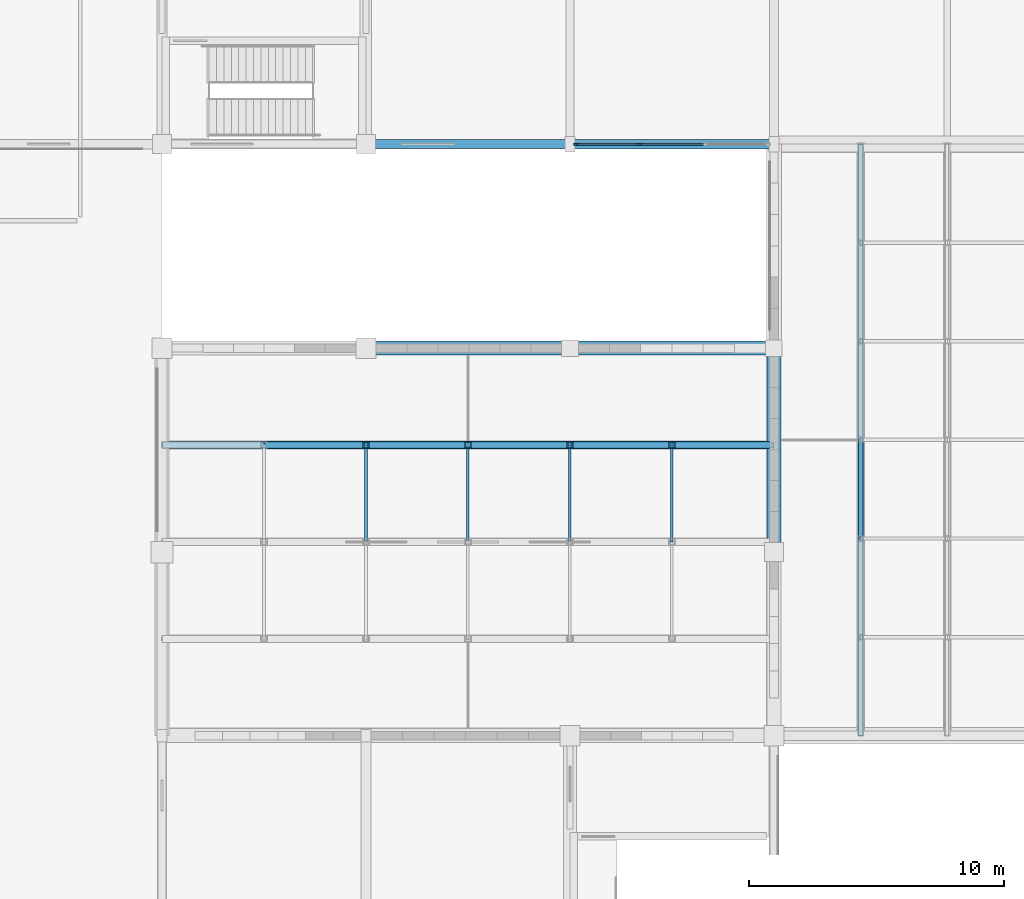
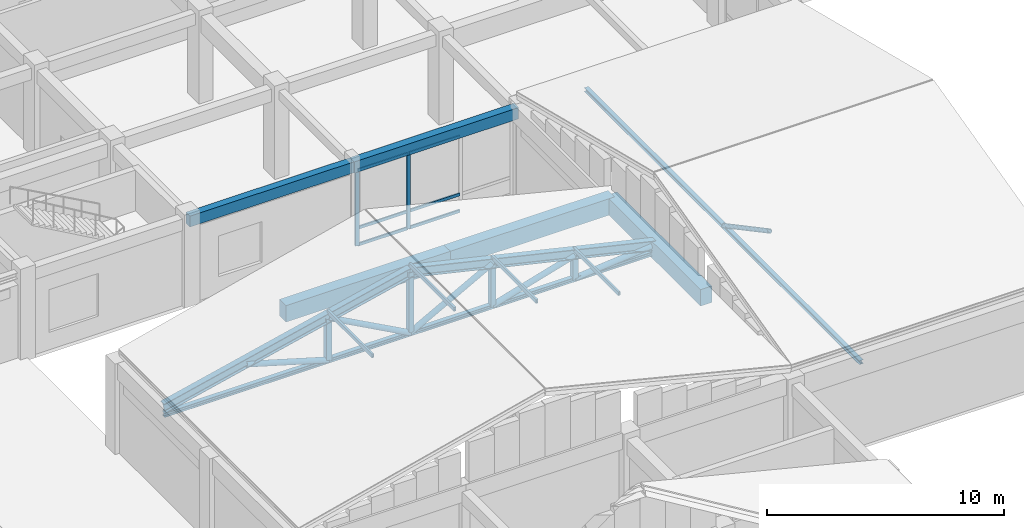
# One storey, part 29 of 61: 26 members, 5 beams, 1 element without a shape of its own.
"""IFC4 building model written with IfcOpenShell, lengths in metres."""

from ifc_helpers import new_model, si_unit, direction, frame, origin, origin_2d, place, context, subcontext, project, spatial, rectangle, hollow_rectangle, hollow_circle, i_section, extrude, material, material_profile, profile_set, type_object, element, aggregate, save


model = new_model("IFC4")

# Units and contexts
model_context = context("Model", 3, precision=1e-05, world=origin(), true_north=direction((0.0, 1.0)))
body_context = subcontext(model_context, "Body", "Model", "MODEL_VIEW")
ifc_project = project(units=[si_unit("LENGTHUNIT", "METRE"), si_unit("AREAUNIT", "SQUARE_METRE"), si_unit("VOLUMEUNIT", "CUBIC_METRE"), si_unit("PLANEANGLEUNIT", "RADIAN"), si_unit("MASSUNIT", "GRAM", prefix="KILO")], contexts=[model_context])

# Site, building, storey
site_placement = place(None, origin())
site = spatial("IfcSite", under=ifc_project, at=site_placement, CompositionType="ELEMENT")
building_placement = place(site_placement, origin())
building = spatial("IfcBuilding", under=site, at=building_placement, Name="Vellmiral Cinema and Media Centre", CompositionType="ELEMENT")
storey_placement = place(building_placement, frame((0.0, 0.0, 10.800048828125)))
storey = spatial("IfcBuildingStorey", under=building, at=storey_placement, Name="L02", CompositionType="ELEMENT", Elevation=10.800048828125)

# Curtain wall, members
ifc_material_1 = material(Name="Thermally Broken Aluminium and Triple Glazing", Category="aluminium")
curtain_wall_type = type_object("IfcCurtainWallType", Name="CW-POD-GALLERY", PredefinedType="USERDEFINED", material=ifc_material_1)
curtain_wall_placement = place(storey_placement, origin())
curtain_wall = element("IfcCurtainWall", 1, at=curtain_wall_placement, inside=storey, type_object=curtain_wall_type, Name="Curtain Wall L02-B023", ObjectType="STICK CURTAIN WALL", PredefinedType="USERDEFINED")
ifc_material_2 = material(Name="Thermally Broken Anodised Aluminium", Category="aluminium")
ifc_material_profile_1 = material_profile(ifc_material_2, rectangle(XDim=0.070068359375, YDim=0.179931640625, at=origin_2d()), Name="MULL 70x180")
ifc_profile_set_1 = profile_set([ifc_material_profile_1], Name="Thermally Broken Anodised Aluminium")
member_type_1 = type_object("IfcMemberType", Name="CWM-70x180", PredefinedType="MULLION", material=ifc_profile_set_1)
member_1_placement = place(storey_placement, frame((140.235107421875, 59.199951171875, 0.0), z_axis=(0.0, 0.0, 1.0), x_axis=(0.0, 1.0, 0.0)))
member_1 = element("IfcMember", 2, at=member_1_placement, type_object=member_type_1, Name="CW-04 mullion 1", PredefinedType="MULLION", context=body_context, shape_type="SweptSolid", body=[
    extrude(rectangle(XDim=0.070068359375, YDim=0.179931640625, at=origin_2d()), origin(), (0.0, 0.0, 1.0), 3.89990234375),
])
member_2_placement = place(storey_placement, frame((142.7333984375, 59.199951171875, 0.0), z_axis=(0.0, 0.0, 1.0), x_axis=(0.0, 1.0, 0.0)))
member_2 = element("IfcMember", 3, at=member_2_placement, type_object=member_type_1, Name="CW-04 mullion 2", PredefinedType="MULLION", context=body_context, shape_type="SweptSolid", body=[
    extrude(rectangle(XDim=0.070068359375, YDim=0.179931640625, at=origin_2d()), origin(), (0.0, 0.0, 1.0), 3.89990234375),
])
ifc_material_3 = material(Name="Thermally Broken Anodised Aluminium", Category="aluminium")
ifc_material_profile_2 = material_profile(ifc_material_3, rectangle(XDim=0.070068359375, YDim=0.14990234375, at=origin_2d()), Name="MULL 70x150")
ifc_profile_set_2 = profile_set([ifc_material_profile_2], Name="Thermally Broken Anodised Aluminium")
member_type_2 = type_object("IfcMemberType", Name="CWT-70x150", PredefinedType="USERDEFINED", material=ifc_profile_set_2)
member_3_placement = place(storey_placement, frame((140.27001953125, 59.199951171875, 0.034912109375), z_axis=(1.0, 0.0, 0.0), x_axis=(0.0, 1.0, 0.0)))
member_3 = element("IfcMember", 4, at=member_3_placement, type_object=member_type_2, Name="CW-04 transom 1.1", ObjectType="TRANSOM", PredefinedType="USERDEFINED", context=body_context, shape_type="SweptSolid", body=[
    extrude(rectangle(XDim=0.070068359375, YDim=0.14990234375, at=origin_2d()), origin(), (0.0, 0.0, 1.0), 2.42822265625),
])
member_4_placement = place(storey_placement, frame((140.27001953125, 59.199951171875, 0.89990234375), z_axis=(1.0, 0.0, 0.0), x_axis=(0.0, 1.0, 0.0)))
member_4 = element("IfcMember", 5, at=member_4_placement, type_object=member_type_2, Name="CW-04 transom 1.2", ObjectType="TRANSOM", PredefinedType="USERDEFINED", context=body_context, shape_type="SweptSolid", body=[
    extrude(rectangle(XDim=0.070068359375, YDim=0.14990234375, at=origin_2d()), origin(), (0.0, 0.0, 1.0), 2.42822265625),
])
member_5_placement = place(storey_placement, frame((140.27001953125, 59.199951171875, 3.864990234375), z_axis=(1.0, 0.0, 0.0), x_axis=(0.0, 1.0, 0.0)))
member_5 = element("IfcMember", 6, at=member_5_placement, type_object=member_type_2, Name="CW-04 transom 1.3", ObjectType="TRANSOM", PredefinedType="USERDEFINED", context=body_context, shape_type="SweptSolid", body=[
    extrude(rectangle(XDim=0.070068359375, YDim=0.14990234375, at=origin_2d()), origin(), (0.0, 0.0, 1.0), 2.42822265625),
])
member_6_placement = place(storey_placement, frame((142.768310546875, 59.199951171875, 0.034912109375), z_axis=(1.0, 0.0, 0.0), x_axis=(0.0, 1.0, 0.0)))
member_6 = element("IfcMember", 7, at=member_6_placement, type_object=member_type_2, Name="CW-04 transom 2.1", ObjectType="TRANSOM", PredefinedType="USERDEFINED", context=body_context, shape_type="SweptSolid", body=[
    extrude(rectangle(XDim=0.070068359375, YDim=0.14990234375, at=origin_2d()), origin(), (0.0, 0.0, 1.0), 2.46337890625),
])
member_7_placement = place(storey_placement, frame((142.768310546875, 59.199951171875, 0.89990234375), z_axis=(1.0, 0.0, 0.0), x_axis=(0.0, 1.0, 0.0)))
member_7 = element("IfcMember", 8, at=member_7_placement, type_object=member_type_2, Name="CW-04 transom 2.2", ObjectType="TRANSOM", PredefinedType="USERDEFINED", context=body_context, shape_type="SweptSolid", body=[
    extrude(rectangle(XDim=0.070068359375, YDim=0.14990234375, at=origin_2d()), origin(), (0.0, 0.0, 1.0), 2.46337890625),
])
member_8_placement = place(storey_placement, frame((142.768310546875, 59.199951171875, 3.864990234375), z_axis=(1.0, 0.0, 0.0), x_axis=(0.0, 1.0, 0.0)))
member_8 = element("IfcMember", 9, at=member_8_placement, type_object=member_type_2, Name="CW-04 transom 2.3", ObjectType="TRANSOM", PredefinedType="USERDEFINED", context=body_context, shape_type="SweptSolid", body=[
    extrude(rectangle(XDim=0.070068359375, YDim=0.14990234375, at=origin_2d()), origin(), (0.0, 0.0, 1.0), 2.46337890625),
])
aggregate(curtain_wall, [member_1, member_2, member_3, member_4, member_5, member_6, member_7, member_8])

# Members
ifc_material_4 = material(Name="Steel S355", Category="steel")
ifc_material_profile_3 = material_profile(ifc_material_4, hollow_rectangle(XDim=0.10009765625, YDim=0.199951171875, WallThickness=0.008056640625, at=origin_2d()), Name="RHS 200x100x8.0")
ifc_profile_set_3 = profile_set([ifc_material_profile_3], Name="Steel S355")
member_type_3 = type_object("IfcMemberType", Name="PRL-RHS200", PredefinedType="PURLIN", material=ifc_profile_set_3)
for number, where, z_axis, x_axis, name in (
    (10, (132.0, 43.60009765625, 6.65966796875), (0.0, 1.0, 0.0), (-1.0, 0.0, 0.0), "Roof Purlin 6.2.2"),
    (11, (136.0, 43.60009765625, 7.65673828125), (0.0, 1.0, 0.0), (-1.0, 0.0, 0.0), "Roof Purlin 6.3.2"),
    (12, (140.0, 43.60009765625, 6.65966796875), (0.0, 1.0, 0.0), (-1.0, 0.0, 0.0), "Roof Purlin 6.4.2"),
    (13, (144.0, 43.60009765625, 5.662353515625), (0.0, 1.0, 0.0), (-1.0, 0.0, 0.0), "Roof Purlin 6.5.2"),
):
    element("IfcMember", number, at=place(storey_placement, frame(where, z_axis=z_axis, x_axis=x_axis)), inside=storey, type_object=member_type_3, Name=name, PredefinedType="PURLIN", context=body_context, shape_type="SweptSolid", body=[
        extrude(hollow_rectangle(XDim=0.10009765625, YDim=0.199951171875, WallThickness=0.008056640625, at=origin_2d()), origin(), (0.0, 0.0, 1.0), 3.7998046875),
    ])

# Beams
ifc_material_5 = material(Name="Concrete C40/50", Category="concrete")
ifc_material_profile_4 = material_profile(ifc_material_5, rectangle(XDim=0.550048828125, YDim=0.85009765625, at=origin_2d()), Name="RC 550x850")
ifc_profile_set_4 = profile_set([ifc_material_profile_4], Name="Concrete C40/50")
beam_type_1 = type_object("IfcBeamType", Name="RING-BM-550x850", PredefinedType="BEAM", material=ifc_profile_set_4)
for number, where, z_axis, x_axis, name in (
    (14, (132.0, 51.199951171875, 4.375), (1.0, 0.0, 0.0), (0.0, 1.0, 0.0), "Cinema Screen 6 Ring Beam 05"),
    (15, (140.0, 51.199951171875, 4.375), (1.0, 0.0, 0.0), (0.0, 1.0, 0.0), "Cinema Screen 6 Ring Beam 06"),
    (16, (148.0, 43.199951171875, 4.375), (0.0, 1.0, 0.0), (-1.0, 0.0, 0.0), "Cinema Screen 6 Ring Beam 10"),
):
    element("IfcBeam", number, at=place(storey_placement, frame(where, z_axis=z_axis, x_axis=x_axis)), inside=storey, type_object=beam_type_1, Name=name, PredefinedType="BEAM", context=body_context, shape_type="SweptSolid", body=[
        extrude(rectangle(XDim=0.550048828125, YDim=0.85009765625, at=origin_2d()), origin(), (0.0, 0.0, 1.0), 8.0),
    ])
ifc_material_6 = material(Name="Concrete C40/50", Category="concrete")
ifc_material_profile_5 = material_profile(ifc_material_6, rectangle(XDim=0.35009765625, YDim=0.56005859375, at=origin_2d()), Name="RC 350x560")
ifc_profile_set_5 = profile_set([ifc_material_profile_5], Name="Concrete C40/50")
beam_type_2 = type_object("IfcBeamType", Name="SPD-RC-350x560", PredefinedType="SPANDREL", material=ifc_profile_set_5)
beam_1_placement = place(storey_placement, frame((132.0, 59.199951171875, 4.21484375), z_axis=(1.0, 0.0, 0.0), x_axis=(0.0, 1.0, 0.0)))
element("IfcBeam", 17, at=beam_1_placement, inside=storey, type_object=beam_type_2, Name="Grid Beam L02-X019", PredefinedType="SPANDREL", context=body_context, shape_type="SweptSolid", body=[
    extrude(rectangle(XDim=0.35009765625, YDim=0.56005859375, at=origin_2d()), origin(), (0.0, 0.0, 1.0), 8.0),
])
ifc_material_7 = material(Name="Vosges Red Sandstone Masonry", Category="masonry")
ifc_material_profile_6 = material_profile(ifc_material_7, rectangle(XDim=0.3798828125, YDim=0.580078125, at=origin_2d()), Name="SAND 380x580")
ifc_profile_set_6 = profile_set([ifc_material_profile_6], Name="Vosges Red Sandstone Masonry")
beam_type_3 = type_object("IfcBeamType", Name="SPD-SAND-380x580", PredefinedType="SPANDREL", material=ifc_profile_set_6)
beam_2_placement = place(storey_placement, frame((140.0, 59.199951171875, 4.204833984375), z_axis=(1.0, 0.0, 0.0), x_axis=(0.0, 1.0, 0.0)))
element("IfcBeam", 18, at=beam_2_placement, inside=storey, type_object=beam_type_3, Name="Grid Beam L02-X020", PredefinedType="SPANDREL", context=body_context, shape_type="SweptSolid", body=[
    extrude(rectangle(XDim=0.3798828125, YDim=0.580078125, at=origin_2d()), origin(), (0.0, 0.0, 1.0), 8.0),
])

# Members
ifc_material_8 = material(Name="Steel S355", Category="steel")
ifc_material_profile_7 = material_profile(ifc_material_8, hollow_circle(Radius=0.109619140625, WallThickness=0.010009765625, at=origin_2d()), Name="CHS 219.1x10.0")
ifc_profile_set_7 = profile_set([ifc_material_profile_7], Name="Steel S355")
member_type_4 = type_object("IfcMemberType", Name="TBR-CHS219", PredefinedType="BRACE", material=ifc_profile_set_7)
member_9_placement = place(storey_placement, frame((151.39990234375, 43.7333984375, 6.213134765625), z_axis=(0.0, 0.8822588608, -0.470764593549), x_axis=(-1.0, 0.0, 0.0)))
element("IfcMember", 19, at=member_9_placement, inside=storey, type_object=member_type_4, Name="Roof Truss TR-07.1 Diagonal 3", PredefinedType="BRACE", context=body_context, shape_type="SweptSolid", body=[
    extrude(hollow_circle(Radius=0.109619140625, WallThickness=0.010009765625, at=origin_2d()), origin(), (0.0, 0.0, 1.0), 4.3828125),
])
ifc_material_9 = material(Name="Steel S355", Category="steel")
ifc_material_profile_8 = material_profile(ifc_material_9, hollow_circle(Radius=0.136474609375, WallThickness=0.012451171875, at=origin_2d()), Name="CHS 273.0x12.5")
ifc_profile_set_8 = profile_set([ifc_material_profile_8], Name="Steel S355")
member_type_5 = type_object("IfcMemberType", Name="TBR-CHS273", PredefinedType="BRACE", material=ifc_profile_set_8)
member_10_placement = place(storey_placement, frame((128.0, 47.39990234375, 5.3271484375), z_axis=(0.959315139082, 0.0, -0.28233750004), x_axis=(0.0, 1.0, 0.0)))
element("IfcMember", 20, at=member_10_placement, inside=storey, type_object=member_type_5, Name="Roof Truss TR-06.3 Diagonal 2", PredefinedType="BRACE", context=body_context, shape_type="SweptSolid", body=[
    extrude(hollow_circle(Radius=0.136474609375, WallThickness=0.012451171875, at=origin_2d()), origin(), (0.0, 0.0, 1.0), 4.169677734375),
])
for number, where, z_axis, x_axis, name in (
    (21, (132.0, 47.39990234375, 6.324462890625), (0.878564834273, 0.0, -0.477623106621), (0.0, 1.0, 0.0), "Roof Truss TR-06.3 Diagonal 3"),
    (22, (136.0, 47.39990234375, 4.14990234375), (0.878564834273, 0.0, 0.477623106621), (0.0, 1.0, 0.0), "Roof Truss TR-06.3 Diagonal 4"),
):
    element("IfcMember", number, at=place(storey_placement, frame(where, z_axis=z_axis, x_axis=x_axis)), inside=storey, type_object=member_type_5, Name=name, PredefinedType="BRACE", context=body_context, shape_type="SweptSolid", body=[
        extrude(hollow_circle(Radius=0.136474609375, WallThickness=0.012451171875, at=origin_2d()), origin(), (0.0, 0.0, 1.0), 4.552978515625),
    ])
member_11_placement = place(storey_placement, frame((140.0, 47.39990234375, 4.14990234375), z_axis=(0.959315139082, 0.0, 0.28233750004), x_axis=(0.0, 1.0, 0.0)))
element("IfcMember", 23, at=member_11_placement, inside=storey, type_object=member_type_5, Name="Roof Truss TR-06.3 Diagonal 5", PredefinedType="BRACE", context=body_context, shape_type="SweptSolid", body=[
    extrude(hollow_circle(Radius=0.136474609375, WallThickness=0.012451171875, at=origin_2d()), origin(), (0.0, 0.0, 1.0), 4.169677734375),
])
member_12_placement = place(storey_placement, frame((144.0, 47.39990234375, 4.14990234375), z_axis=(0.995634226059, 0.0, 0.093340708693), x_axis=(0.0, 1.0, 0.0)))
element("IfcMember", 24, at=member_12_placement, inside=storey, type_object=member_type_5, Name="Roof Truss TR-06.3 Diagonal 6", PredefinedType="BRACE", context=body_context, shape_type="SweptSolid", body=[
    extrude(hollow_circle(Radius=0.136474609375, WallThickness=0.012451171875, at=origin_2d()), origin(), (0.0, 0.0, 1.0), 4.017578125),
])
ifc_material_10 = material(Name="Steel S355", Category="steel")
ifc_material_profile_9 = material_profile(ifc_material_10, hollow_rectangle(XDim=0.25, YDim=0.25, WallThickness=0.012451171875, at=origin_2d()), Name="SHS 250x250x12.5")
ifc_profile_set_9 = profile_set([ifc_material_profile_9], Name="Steel S355")
member_type_6 = type_object("IfcMemberType", Name="TBR-SHS250", PredefinedType="BRACE", material=ifc_profile_set_9)
member_13_placement = place(storey_placement, frame((132.0, 47.39990234375, 4.14990234375), z_axis=(0.0, 0.0, 1.0), x_axis=(1.0, 0.0, 0.0)))
element("IfcMember", 25, at=member_13_placement, inside=storey, type_object=member_type_6, Name="Roof Truss TR-06.3 Post 2", PredefinedType="BRACE", context=body_context, shape_type="SweptSolid", body=[
    extrude(hollow_rectangle(XDim=0.25, YDim=0.25, WallThickness=0.012451171875, at=origin_2d()), origin(), (0.0, 0.0, 1.0), 2.174560546875),
])
member_14_placement = place(storey_placement, frame((136.0, 47.39990234375, 4.14990234375), z_axis=(0.0, 0.0, 1.0), x_axis=(1.0, 0.0, 0.0)))
element("IfcMember", 26, at=member_14_placement, inside=storey, type_object=member_type_6, Name="Roof Truss TR-06.3 Post 3", PredefinedType="BRACE", context=body_context, shape_type="SweptSolid", body=[
    extrude(hollow_rectangle(XDim=0.25, YDim=0.25, WallThickness=0.012451171875, at=origin_2d()), origin(), (0.0, 0.0, 1.0), 3.171875),
])
member_15_placement = place(storey_placement, frame((140.0, 47.39990234375, 4.14990234375), z_axis=(0.0, 0.0, 1.0), x_axis=(1.0, 0.0, 0.0)))
element("IfcMember", 27, at=member_15_placement, inside=storey, type_object=member_type_6, Name="Roof Truss TR-06.3 Post 4", PredefinedType="BRACE", context=body_context, shape_type="SweptSolid", body=[
    extrude(hollow_rectangle(XDim=0.25, YDim=0.25, WallThickness=0.012451171875, at=origin_2d()), origin(), (0.0, 0.0, 1.0), 2.174560546875),
])
member_16_placement = place(storey_placement, frame((144.0, 47.39990234375, 4.14990234375), z_axis=(0.0, 0.0, 1.0), x_axis=(1.0, 0.0, 0.0)))
element("IfcMember", 28, at=member_16_placement, inside=storey, type_object=member_type_6, Name="Roof Truss TR-06.3 Post 5", PredefinedType="BRACE", context=body_context, shape_type="SweptSolid", body=[
    extrude(hollow_rectangle(XDim=0.25, YDim=0.25, WallThickness=0.012451171875, at=origin_2d()), origin(), (0.0, 0.0, 1.0), 1.17724609375),
])
ifc_material_11 = material(Name="Steel S355", Category="steel")
ifc_material_profile_10 = material_profile(ifc_material_11, i_section(OverallWidth=0.300048828125, OverallDepth=0.489990234375, WebThickness=0.011962890625, FlangeThickness=0.02294921875, FilletRadius=0.027099609375, at=origin_2d()), Name="HEA 500")
ifc_profile_set_10 = profile_set([ifc_material_profile_10], Name="Steel S355")
member_type_7 = type_object("IfcMemberType", Name="TCH-HEA500", PredefinedType="CHORD", material=ifc_profile_set_10)
for number, where, z_axis, x_axis, name in (
    (29, (124.0, 47.39990234375, 4.52490234375), (0.973897302282, 0.0, 0.226989084777), (0.0, 1.0, 0.0), "Roof Truss TR-06.3 Top Chord W"),
    (30, (136.0, 47.39990234375, 7.32177734375), (0.973897302282, 0.0, -0.226989084777), (0.0, 1.0, 0.0), "Roof Truss TR-06.3 Top Chord E"),
):
    element("IfcMember", number, at=place(storey_placement, frame(where, z_axis=z_axis, x_axis=x_axis)), inside=storey, type_object=member_type_7, Name=name, PredefinedType="CHORD", context=body_context, shape_type="SweptSolid", body=[
        extrude(i_section(OverallWidth=0.300048828125, OverallDepth=0.489990234375, WebThickness=0.011962890625, FlangeThickness=0.02294921875, FilletRadius=0.027099609375, at=origin_2d()), origin(), (0.0, 0.0, 1.0), 12.321533203125),
    ])
ifc_material_12 = material(Name="Steel S355", Category="steel")
ifc_material_profile_11 = material_profile(ifc_material_12, i_section(OverallWidth=0.199951171875, OverallDepth=0.199951171875, WebThickness=0.009033203125, FlangeThickness=0.014892578125, FilletRadius=0.01806640625, at=origin_2d()), Name="HEB 200")
ifc_profile_set_11 = profile_set([ifc_material_profile_11], Name="Steel S355")
member_type_8 = type_object("IfcMemberType", Name="TCH-HEB200", PredefinedType="CHORD", material=ifc_profile_set_11)
member_17_placement = place(storey_placement, frame((151.39990234375, 36.0, 4.14990234375), z_axis=(0.0, 1.0, 0.0), x_axis=(-1.0, 0.0, 0.0)))
element("IfcMember", 31, at=member_17_placement, inside=storey, type_object=member_type_8, Name="Roof Truss TR-07.1 Bottom Chord", PredefinedType="CHORD", context=body_context, shape_type="SweptSolid", body=[
    extrude(i_section(OverallWidth=0.199951171875, OverallDepth=0.199951171875, WebThickness=0.009033203125, FlangeThickness=0.014892578125, FilletRadius=0.01806640625, at=origin_2d()), origin(), (0.0, 0.0, 1.0), 23.199951171875),
])
ifc_material_13 = material(Name="Steel S355", Category="steel")
ifc_material_profile_12 = material_profile(ifc_material_13, i_section(OverallWidth=0.219970703125, OverallDepth=0.219970703125, WebThickness=0.009521484375, FlangeThickness=0.01611328125, FilletRadius=0.01806640625, at=origin_2d()), Name="HEB 220")
ifc_profile_set_12 = profile_set([ifc_material_profile_12], Name="Steel S355")
member_type_9 = type_object("IfcMemberType", Name="TCH-HEB220", PredefinedType="CHORD", material=ifc_profile_set_12)
member_18_placement = place(storey_placement, frame((124.0, 47.39990234375, 4.14990234375), z_axis=(1.0, 0.0, 0.0), x_axis=(0.0, 1.0, 0.0)))
element("IfcMember", 32, at=member_18_placement, inside=storey, type_object=member_type_9, Name="Roof Truss TR-06.3 Bottom Chord", PredefinedType="CHORD", context=body_context, shape_type="SweptSolid", body=[
    extrude(i_section(OverallWidth=0.219970703125, OverallDepth=0.219970703125, WebThickness=0.009521484375, FlangeThickness=0.01611328125, FilletRadius=0.01806640625, at=origin_2d()), origin(), (0.0, 0.0, 1.0), 24.0),
])

save(model, "model.ifc")
